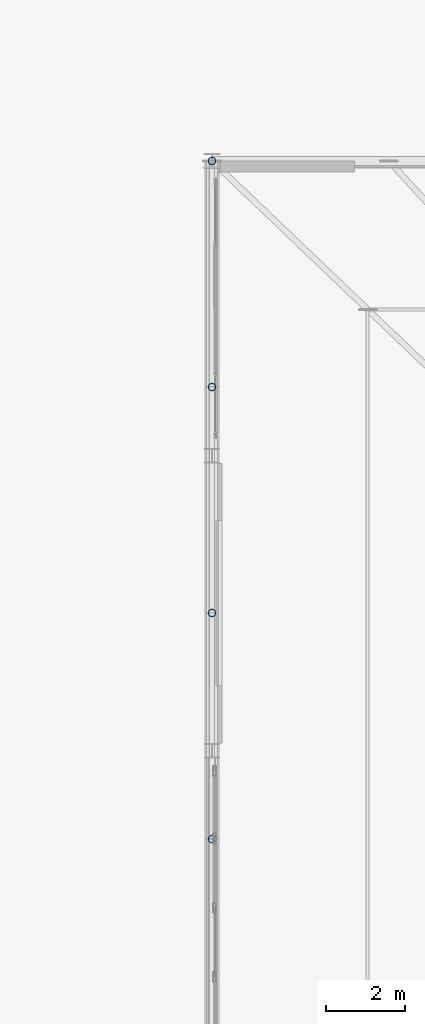
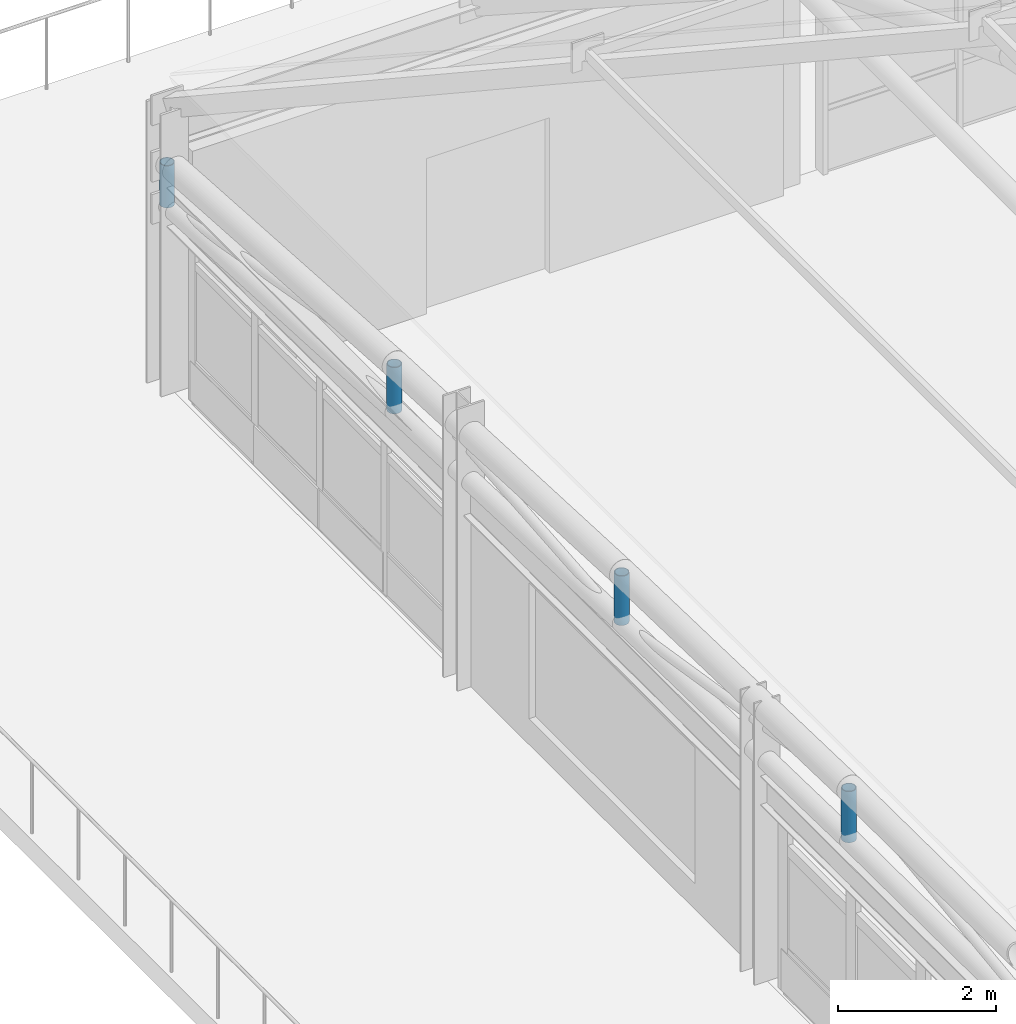
# One storey, part 126 of 168: 4 members.
"""IFC4 building model written with IfcOpenShell, lengths in metres."""

from ifc_helpers import new_model, si_unit, direction, frame, origin, origin_2d, place, context, subcontext, project, spatial, hollow_circle, extrude, material, material_profile, profile_set, type_object, element, save


model = new_model("IFC4")

# Units and contexts
model_context = context("Model", 3, precision=1e-05, world=origin(), true_north=direction((0.0, 1.0)))
body_context = subcontext(model_context, "Body", "Model", "MODEL_VIEW")
ifc_project = project(units=[si_unit("LENGTHUNIT", "METRE"), si_unit("AREAUNIT", "SQUARE_METRE"), si_unit("VOLUMEUNIT", "CUBIC_METRE"), si_unit("PLANEANGLEUNIT", "RADIAN"), si_unit("MASSUNIT", "GRAM", prefix="KILO"), si_unit("THERMODYNAMICTEMPERATUREUNIT", "KELVIN"), si_unit("POWERUNIT", "WATT")], contexts=[model_context])

# Site, building, storey
site_placement = place(None, origin())
site = spatial("IfcSite", under=ifc_project, at=site_placement, CompositionType="ELEMENT")
building_placement = place(site_placement, origin())
building = spatial("IfcBuilding", under=site, at=building_placement, Name="Tepalcoro Natatorium and Aquatics Centre", CompositionType="ELEMENT")
storey_placement = place(building_placement, frame((0.0, 0.0, 10.199951171875)))
storey = spatial("IfcBuildingStorey", under=building, at=storey_placement, Name="L02", CompositionType="ELEMENT", Elevation=10.199951171875)

# Members
ifc_material = material(Name="Terracotta Painted Hollow Steel ASTM A500 Grade C (Fy 345 MPa)", Category="masonry")
ifc_material_profile = material_profile(ifc_material, hollow_circle(Radius=0.096923828125, WallThickness=0.010009765625, at=origin_2d()), Name="CHS194X10")
ifc_profile_set = profile_set([ifc_material_profile], Name="Terracotta Painted Hollow Steel ASTM A500 Grade C (Fy 345 MPa)")
member_type = type_object("IfcMemberType", Name="MB_PS_CHS194x10", PredefinedType="POST", material=ifc_profile_set)
member_1_placement = place(storey_placement, frame((53.0, 41.75, 3.456298828125), z_axis=(0.0, 0.0, 1.0), x_axis=(1.0, 0.0, 0.0)))
element("IfcMember", 1, at=member_1_placement, inside=storey, type_object=member_type, Name="V1 Arched Truss Vertical Post 1", PredefinedType="POST", context=body_context, shape_type="SweptSolid", body=[
    extrude(hollow_circle(Radius=0.096923828125, WallThickness=0.010009765625, at=origin_2d()), origin(), (0.0, 0.0, 1.0), 0.790771484375),
])
member_2_placement = place(storey_placement, frame((53.0, 47.5, 3.324951171875), z_axis=(0.0, 0.0, 1.0), x_axis=(1.0, 0.0, 0.0)))
element("IfcMember", 2, at=member_2_placement, inside=storey, type_object=member_type, Name="V1 Arched Truss Vertical Post 1", PredefinedType="POST", context=body_context, shape_type="SweptSolid", body=[
    extrude(hollow_circle(Radius=0.096923828125, WallThickness=0.010009765625, at=origin_2d()), origin(), (0.0, 0.0, 1.0), 0.7626953125),
])
member_3_placement = place(storey_placement, frame((53.0, 53.25, 3.106201171875), z_axis=(0.0, 0.0, 1.0), x_axis=(1.0, 0.0, 0.0)))
element("IfcMember", 3, at=member_3_placement, inside=storey, type_object=member_type, Name="V1 Arched Truss Vertical Post 1", PredefinedType="POST", context=body_context, shape_type="SweptSolid", body=[
    extrude(hollow_circle(Radius=0.096923828125, WallThickness=0.010009765625, at=origin_2d()), origin(), (0.0, 0.0, 1.0), 0.7158203125),
])
member_4_placement = place(storey_placement, frame((53.0, 59.0, 2.800048828125), z_axis=(0.0, 0.0, 1.0), x_axis=(1.0, 0.0, 0.0)))
element("IfcMember", 4, at=member_4_placement, inside=storey, type_object=member_type, Name="V1 Arched Truss Vertical Post 1", PredefinedType="POST", context=body_context, shape_type="SweptSolid", body=[
    extrude(hollow_circle(Radius=0.096923828125, WallThickness=0.010009765625, at=origin_2d()), origin(), (0.0, 0.0, 1.0), 0.64990234375),
])

save(model, "model.ifc")
